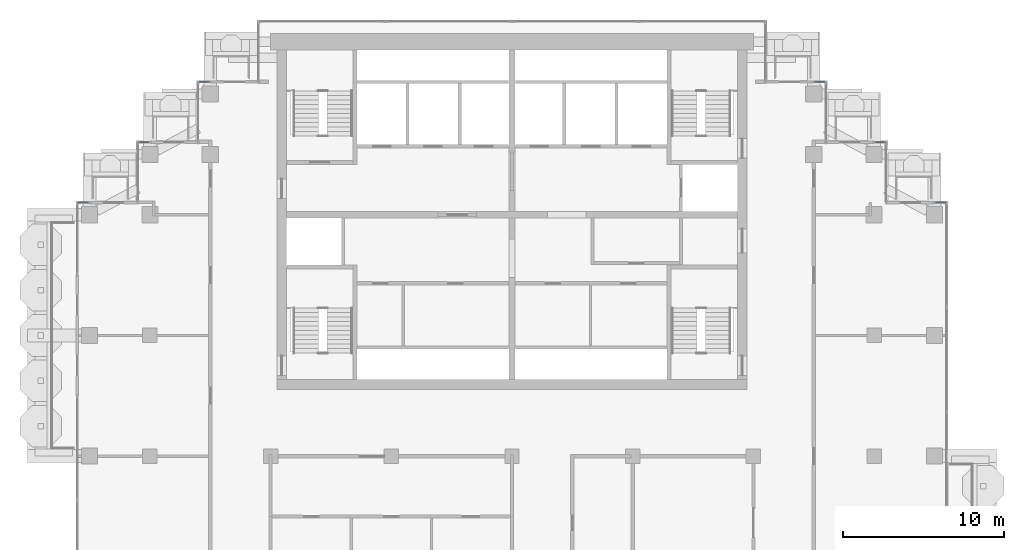
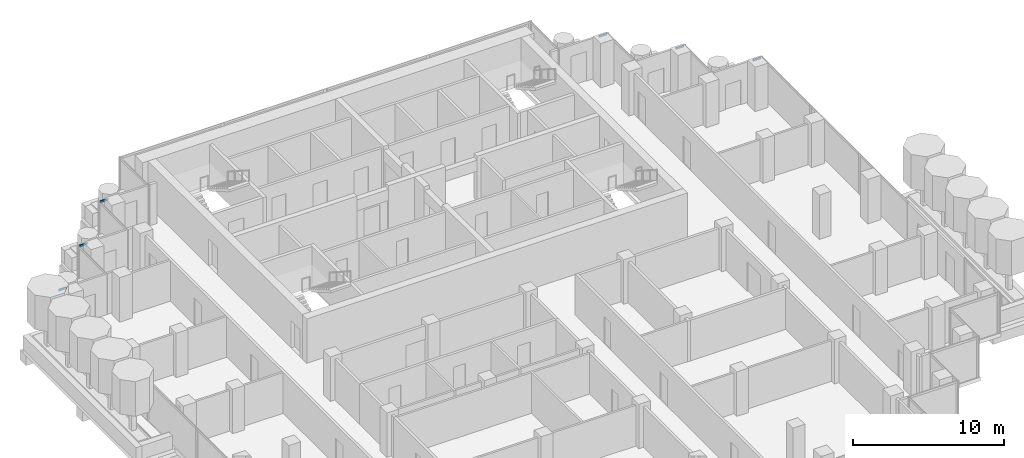
# One storey, part 7 of 18: 6 members, 6 elements without a shape of their own.
"""IFC4 building model written with IfcOpenShell, lengths in metres."""

from ifc_helpers import new_model, si_unit, direction, frame, origin, origin_2d, place, context, subcontext, project, spatial, rectangle, extrude, material, material_profile, profile_set, type_object, element, aggregate, save


model = new_model("IFC4")

# Units and contexts
model_context = context("Model", 3, precision=1e-05, world=origin(), true_north=direction((0.0, 1.0)))
body_context = subcontext(model_context, "Body", "Model", "MODEL_VIEW")
ifc_project = project(units=[si_unit("LENGTHUNIT", "METRE"), si_unit("AREAUNIT", "SQUARE_METRE"), si_unit("VOLUMEUNIT", "CUBIC_METRE"), si_unit("PLANEANGLEUNIT", "RADIAN"), si_unit("MASSUNIT", "GRAM", prefix="KILO")], contexts=[model_context])

# Site, building, storey
site_placement = place(None, origin())
site = spatial("IfcSite", under=ifc_project, at=site_placement, CompositionType="ELEMENT")
building_placement = place(site_placement, origin())
building = spatial("IfcBuilding", under=site, at=building_placement, Name="Pilkhan Gate Tower", CompositionType="ELEMENT")
storey_placement = place(building_placement, frame((0.0, 0.0, 199.5)))
storey = spatial("IfcBuildingStorey", under=building, at=storey_placement, Name="L51", CompositionType="ELEMENT", Elevation=199.5)

# Curtain wall, member
ifc_material_1 = material(Name="Pale anodised aluminium, clear low-iron double glazing", Category="aluminium")
curtain_wall_type = type_object("IfcCurtainWallType", Name="Office unitised curtain wall CW-O2", PredefinedType="USERDEFINED", material=ifc_material_1)
curtain_wall_1_placement = place(storey_placement, origin())
curtain_wall_1 = element("IfcCurtainWall", 1, at=curtain_wall_1_placement, inside=storey, type_object=curtain_wall_type, Name="Office unitised curtain wall CW-O2 L51 N", ObjectType="UNITISED CURTAIN WALL", PredefinedType="USERDEFINED")
ifc_material_2 = material(Name="Pale anodised aluminium", Category="aluminium")
ifc_material_profile = material_profile(ifc_material_2, rectangle(XDim=0.06494140625, YDim=0.1650390625, at=origin_2d()), Name="Transom 165x65")
ifc_profile_set = profile_set([ifc_material_profile], Name="Pale anodised aluminium")
member_type = type_object("IfcMemberType", Name="Transom CW-O2 165x65", PredefinedType="USERDEFINED", material=ifc_profile_set)
member_1_placement = place(storey_placement, frame((101.31494140625, 83.25, 3.217529296875), z_axis=(1.0, 0.0, 0.0), x_axis=(0.0, 1.0, 0.0)))
member_1 = element("IfcMember", 2, at=member_1_placement, type_object=member_type, Name="CW-O2 transom 1", ObjectType="TRANSOM", PredefinedType="USERDEFINED", context=body_context, shape_type="SweptSolid", body=[
    extrude(rectangle(XDim=0.06494140625, YDim=0.1650390625, at=origin_2d()), origin(), (0.0, 0.0, 1.0), 0.6201171875),
])
aggregate(curtain_wall_1, [member_1])

curtain_wall_2_placement = place(storey_placement, origin())
curtain_wall_2 = element("IfcCurtainWall", 3, at=curtain_wall_2_placement, inside=storey, type_object=curtain_wall_type, Name="Office unitised curtain wall CW-O2 L51 N", ObjectType="UNITISED CURTAIN WALL", PredefinedType="USERDEFINED")
member_2_placement = place(storey_placement, frame((97.56494140625, 87.0, 3.217529296875), z_axis=(1.0, 0.0, 0.0), x_axis=(0.0, 1.0, 0.0)))
member_2 = element("IfcMember", 4, at=member_2_placement, type_object=member_type, Name="CW-O2 transom 1", ObjectType="TRANSOM", PredefinedType="USERDEFINED", context=body_context, shape_type="SweptSolid", body=[
    extrude(rectangle(XDim=0.06494140625, YDim=0.1650390625, at=origin_2d()), origin(), (0.0, 0.0, 1.0), 0.6201171875),
])
aggregate(curtain_wall_2, [member_2])

curtain_wall_3_placement = place(storey_placement, origin())
curtain_wall_3 = element("IfcCurtainWall", 5, at=curtain_wall_3_placement, inside=storey, type_object=curtain_wall_type, Name="Office unitised curtain wall CW-O2 L51 N", ObjectType="UNITISED CURTAIN WALL", PredefinedType="USERDEFINED")
member_3_placement = place(storey_placement, frame((93.81494140625, 90.75, 3.217529296875), z_axis=(1.0, 0.0, 0.0), x_axis=(0.0, 1.0, 0.0)))
member_3 = element("IfcMember", 6, at=member_3_placement, type_object=member_type, Name="CW-O2 transom 1", ObjectType="TRANSOM", PredefinedType="USERDEFINED", context=body_context, shape_type="SweptSolid", body=[
    extrude(rectangle(XDim=0.06494140625, YDim=0.1650390625, at=origin_2d()), origin(), (0.0, 0.0, 1.0), 0.6201171875),
])
aggregate(curtain_wall_3, [member_3])

curtain_wall_4_placement = place(storey_placement, origin())
curtain_wall_4 = element("IfcCurtainWall", 7, at=curtain_wall_4_placement, inside=storey, type_object=curtain_wall_type, Name="Office unitised curtain wall CW-O2 L51 N", ObjectType="UNITISED CURTAIN WALL", PredefinedType="USERDEFINED")
member_4_placement = place(storey_placement, frame((55.56494140625, 90.75, 3.217529296875), z_axis=(1.0, 0.0, 0.0), x_axis=(0.0, 1.0, 0.0)))
member_4 = element("IfcMember", 8, at=member_4_placement, type_object=member_type, Name="CW-O2 transom 1", ObjectType="TRANSOM", PredefinedType="USERDEFINED", context=body_context, shape_type="SweptSolid", body=[
    extrude(rectangle(XDim=0.06494140625, YDim=0.1650390625, at=origin_2d()), origin(), (0.0, 0.0, 1.0), 0.6201171875),
])
aggregate(curtain_wall_4, [member_4])

curtain_wall_5_placement = place(storey_placement, origin())
curtain_wall_5 = element("IfcCurtainWall", 9, at=curtain_wall_5_placement, inside=storey, type_object=curtain_wall_type, Name="Office unitised curtain wall CW-O2 L51 N", ObjectType="UNITISED CURTAIN WALL", PredefinedType="USERDEFINED")
member_5_placement = place(storey_placement, frame((51.81494140625, 87.0, 3.217529296875), z_axis=(1.0, 0.0, 0.0), x_axis=(0.0, 1.0, 0.0)))
member_5 = element("IfcMember", 10, at=member_5_placement, type_object=member_type, Name="CW-O2 transom 1", ObjectType="TRANSOM", PredefinedType="USERDEFINED", context=body_context, shape_type="SweptSolid", body=[
    extrude(rectangle(XDim=0.06494140625, YDim=0.1650390625, at=origin_2d()), origin(), (0.0, 0.0, 1.0), 0.6201171875),
])
aggregate(curtain_wall_5, [member_5])

curtain_wall_6_placement = place(storey_placement, origin())
curtain_wall_6 = element("IfcCurtainWall", 11, at=curtain_wall_6_placement, inside=storey, type_object=curtain_wall_type, Name="Office unitised curtain wall CW-O2 L51 N", ObjectType="UNITISED CURTAIN WALL", PredefinedType="USERDEFINED")
member_6_placement = place(storey_placement, frame((48.06494140625, 83.25, 3.217529296875), z_axis=(1.0, 0.0, 0.0), x_axis=(0.0, 1.0, 0.0)))
member_6 = element("IfcMember", 12, at=member_6_placement, type_object=member_type, Name="CW-O2 transom 1", ObjectType="TRANSOM", PredefinedType="USERDEFINED", context=body_context, shape_type="SweptSolid", body=[
    extrude(rectangle(XDim=0.06494140625, YDim=0.1650390625, at=origin_2d()), origin(), (0.0, 0.0, 1.0), 0.6201171875),
])
aggregate(curtain_wall_6, [member_6])

save(model, "model.ifc")
